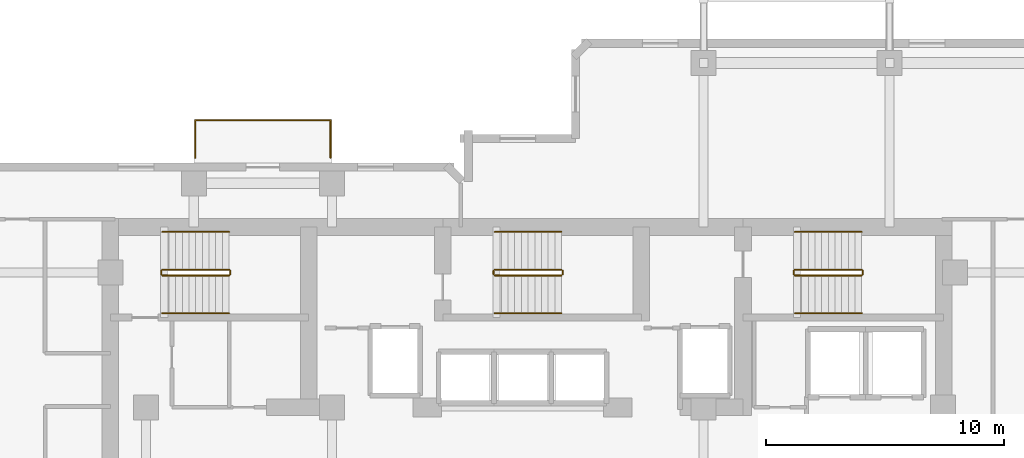
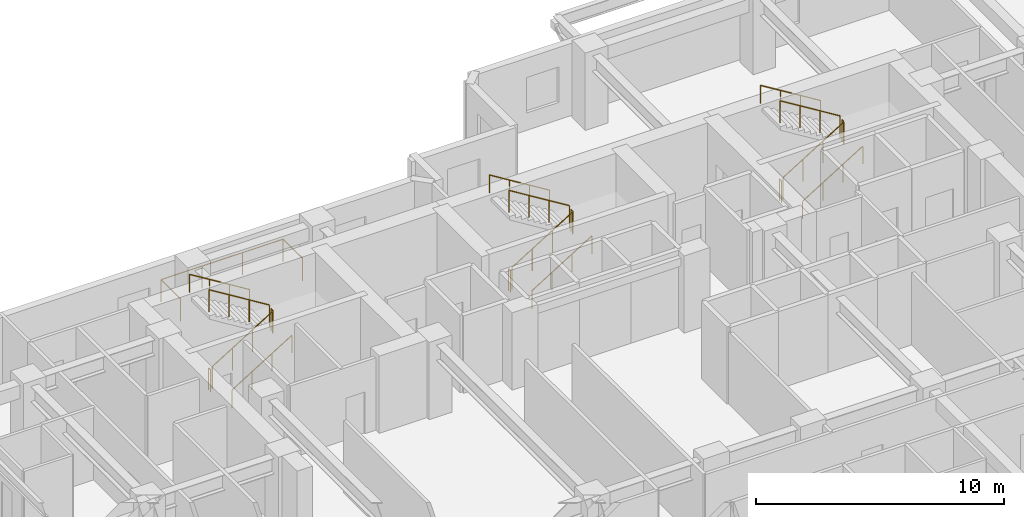
# One storey, part 9 of 9: 19 railings.
"""IFC4 building model written with IfcOpenShell, lengths in metres."""

from ifc_helpers import new_model, si_unit, direction, frame, origin, origin_2d, place, context, subcontext, project, spatial, circle, extrude, material, type_object, element, save


model = new_model("IFC4")

# Units and contexts
model_context = context("Model", 3, precision=1e-05, world=origin(), true_north=direction((0.0, 1.0)))
body_context = subcontext(model_context, "Body", "Model", "MODEL_VIEW")
ifc_project = project(units=[si_unit("LENGTHUNIT", "METRE"), si_unit("AREAUNIT", "SQUARE_METRE"), si_unit("VOLUMEUNIT", "CUBIC_METRE"), si_unit("PLANEANGLEUNIT", "RADIAN"), si_unit("MASSUNIT", "GRAM", prefix="KILO")], contexts=[model_context])

# Site, building, storey
site_placement = place(None, origin())
site = spatial("IfcSite", under=ifc_project, at=site_placement, CompositionType="ELEMENT")
building_placement = place(site_placement, origin())
building = spatial("IfcBuilding", under=site, at=building_placement, Name="Kestravale Grand Hotel", CompositionType="ELEMENT")
storey_placement = place(building_placement, frame((0.0, 0.0, 146.0)))
storey = spatial("IfcBuildingStorey", under=building, at=storey_placement, Name="L36", CompositionType="ELEMENT", Elevation=146.0)

# Railings
ifc_material_1 = material(Name="Champagne-bronze stainless steel and laminated glass guard", Category="steel")
railing_type_1 = type_object("IfcRailingType", Name="RL-EXT-1100", PredefinedType="GUARDRAIL", material=ifc_material_1)
railing_1_placement = place(storey_placement, frame((25.4599609375, 43.219970703125, 0.0)))
element("IfcRailing", 1, at=railing_1_placement, inside=storey, type_object=railing_type_1, Name="L36 outdoor terrace guard 1", PredefinedType="GUARDRAIL", context=body_context, shape_type="SweptSolid", body=[
    extrude(circle(Radius=0.02392578125, at=origin_2d()), frame((0.0, 0.0, 1.09619140625), z_axis=(0.0, 1.0, 0.0), x_axis=(-1.0, 0.0, 0.0)), (0.0, 0.0, 1.0), 1.570068359375),
    extrude(circle(Radius=0.02392578125, at=origin_2d()), frame((0.0, 1.570068359375, 1.09619140625), z_axis=(1.0, 0.0, 0.0), x_axis=(0.0, 1.0, 0.0)), (0.0, 0.0, 1.0), 5.679931640625),
    extrude(circle(Radius=0.02392578125, at=origin_2d()), frame((5.679931640625, 1.570068359375, 1.09619140625), z_axis=(0.0, -1.0, 0.0), x_axis=(1.0, 0.0, 0.0)), (0.0, 0.0, 1.0), 1.570068359375),
    extrude(circle(Radius=0.02099609375, at=origin_2d()), origin(), (0.0, 0.0, 1.0), 1.072021484375),
    extrude(circle(Radius=0.02099609375, at=origin_2d()), frame((0.0, 1.570068359375, 0.0)), (0.0, 0.0, 1.0), 1.072021484375),
    extrude(circle(Radius=0.02099609375, at=origin_2d()), frame((1.893310546875, 1.570068359375, 0.0)), (0.0, 0.0, 1.0), 1.072021484375),
    extrude(circle(Radius=0.02099609375, at=origin_2d()), frame((3.78662109375, 1.570068359375, 0.0)), (0.0, 0.0, 1.0), 1.072021484375),
    extrude(circle(Radius=0.02099609375, at=origin_2d()), frame((5.679931640625, 1.570068359375, 0.0)), (0.0, 0.0, 1.0), 1.072021484375),
    extrude(circle(Radius=0.02099609375, at=origin_2d()), frame((5.679931640625, 0.0, 0.0)), (0.0, 0.0, 1.0), 1.072021484375),
])
ifc_material_2 = material(Name="Painted tubular steel stair well guard", Category="steel")
railing_type_2 = type_object("IfcRailingType", Name="RL-ST-GRD1100", PredefinedType="GUARDRAIL", material=ifc_material_2)
railing_2_placement = place(storey_placement, frame((24.080078125, 38.280029296875, 0.172607421875)))
element("IfcRailing", 2, at=railing_2_placement, inside=storey, type_object=railing_type_2, Name="L36 ST-1 stair guard 1", PredefinedType="GUARDRAIL", context=body_context, shape_type="SweptSolid", body=[
    extrude(circle(Radius=0.02392578125, at=origin_2d()), frame((0.0, 0.0, 1.076171875), z_axis=(0.851069175582, 0.0, 0.525053576669), x_axis=(0.0, 1.0, 0.0)), (0.0, 0.0, 1.0), 3.289794921875),
    extrude(circle(Radius=0.02099609375, at=origin_2d()), origin(), (0.0, 0.0, 1.0), 1.052001953125),
    extrude(circle(Radius=0.02099609375, at=origin_2d()), frame((0.933349609375, 0.0, 0.57568359375)), (0.0, 0.0, 1.0), 1.052001953125),
    extrude(circle(Radius=0.02099609375, at=origin_2d()), frame((1.866455078125, 0.0, 1.151611328125)), (0.0, 0.0, 1.0), 1.052001953125),
    extrude(circle(Radius=0.02099609375, at=origin_2d()), frame((2.7998046875, 0.0, 1.727294921875)), (0.0, 0.0, 1.0), 1.052001953125),
])
railing_3_placement = place(storey_placement, frame((26.929931640625, 38.330078125, 1.89990234375)))
element("IfcRailing", 3, at=railing_3_placement, inside=storey, type_object=railing_type_2, Name="L36 ST-1 stair guard 2", PredefinedType="GUARDRAIL", context=body_context, shape_type="SweptSolid", body=[
    extrude(circle(Radius=0.02392578125, at=origin_2d()), frame((0.0, 0.0, 1.076171875), z_axis=(0.0, 1.0, 0.0), x_axis=(-1.0, 0.0, 0.0)), (0.0, 0.0, 1.0), 0.14990234375),
    extrude(circle(Radius=0.02099609375, at=origin_2d()), origin(), (0.0, 0.0, 1.0), 1.052001953125),
    extrude(circle(Radius=0.02099609375, at=origin_2d()), frame((0.0, 0.14990234375, 0.0)), (0.0, 0.0, 1.0), 1.052001953125),
])
railing_4_placement = place(storey_placement, frame((26.8798828125, 38.530029296875, 2.07275390625)))
element("IfcRailing", 4, at=railing_4_placement, inside=storey, type_object=railing_type_2, Name="L36 ST-1 stair guard 3", PredefinedType="GUARDRAIL", context=body_context, shape_type="SweptSolid", body=[
    extrude(circle(Radius=0.02392578125, at=origin_2d()), frame((0.0, 0.0, 1.076171875), z_axis=(-0.851069175582, 0.0, 0.525053576669), x_axis=(0.0, -1.0, 0.0)), (0.0, 0.0, 1.0), 3.289794921875),
    extrude(circle(Radius=0.02099609375, at=origin_2d()), origin(), (0.0, 0.0, 1.0), 1.052001953125),
    extrude(circle(Radius=0.02099609375, at=origin_2d()), frame((-0.933349609375, 0.0, 0.57568359375)), (0.0, 0.0, 1.0), 1.052001953125),
    extrude(circle(Radius=0.02099609375, at=origin_2d()), frame((-1.866455078125, 0.0, 1.151611328125)), (0.0, 0.0, 1.0), 1.052001953125),
    extrude(circle(Radius=0.02099609375, at=origin_2d()), frame((-2.7998046875, 0.0, 1.727294921875)), (0.0, 0.0, 1.0), 1.052001953125),
])
railing_5_placement = place(storey_placement, frame((24.030029296875, 38.330078125, 0.0)))
element("IfcRailing", 5, at=railing_5_placement, inside=storey, type_object=railing_type_2, Name="L36 ST-1 stair guard 4", PredefinedType="GUARDRAIL", context=body_context, shape_type="SweptSolid", body=[
    extrude(circle(Radius=0.02392578125, at=origin_2d()), frame((0.0, 0.0, 1.076171875), z_axis=(0.0, 1.0, 0.0), x_axis=(-1.0, 0.0, 0.0)), (0.0, 0.0, 1.0), 0.14990234375),
    extrude(circle(Radius=0.02099609375, at=origin_2d()), origin(), (0.0, 0.0, 1.0), 1.052001953125),
    extrude(circle(Radius=0.02099609375, at=origin_2d()), frame((0.0, 0.14990234375, 0.0)), (0.0, 0.0, 1.0), 1.052001953125),
])
railing_6_placement = place(storey_placement, frame((38.030029296875, 38.280029296875, 0.172607421875)))
element("IfcRailing", 6, at=railing_6_placement, inside=storey, type_object=railing_type_2, Name="L36 ST-2 stair guard 1", PredefinedType="GUARDRAIL", context=body_context, shape_type="SweptSolid", body=[
    extrude(circle(Radius=0.02392578125, at=origin_2d()), frame((0.0, 0.0, 1.076171875), z_axis=(0.851089632645, 0.0, 0.525020415988), x_axis=(0.0, 1.0, 0.0)), (0.0, 0.0, 1.0), 3.2900390625),
    extrude(circle(Radius=0.02099609375, at=origin_2d()), origin(), (0.0, 0.0, 1.0), 1.052001953125),
    extrude(circle(Radius=0.02099609375, at=origin_2d()), frame((0.933349609375, 0.0, 0.57568359375)), (0.0, 0.0, 1.0), 1.052001953125),
    extrude(circle(Radius=0.02099609375, at=origin_2d()), frame((1.86669921875, 0.0, 1.151611328125)), (0.0, 0.0, 1.0), 1.052001953125),
    extrude(circle(Radius=0.02099609375, at=origin_2d()), frame((2.800048828125, 0.0, 1.727294921875)), (0.0, 0.0, 1.0), 1.052001953125),
])
railing_7_placement = place(storey_placement, frame((40.8798828125, 38.330078125, 1.89990234375)))
element("IfcRailing", 7, at=railing_7_placement, inside=storey, type_object=railing_type_2, Name="L36 ST-2 stair guard 2", PredefinedType="GUARDRAIL", context=body_context, shape_type="SweptSolid", body=[
    extrude(circle(Radius=0.02392578125, at=origin_2d()), frame((0.0, 0.0, 1.076171875), z_axis=(0.0, 1.0, 0.0), x_axis=(-1.0, 0.0, 0.0)), (0.0, 0.0, 1.0), 0.14990234375),
    extrude(circle(Radius=0.02099609375, at=origin_2d()), origin(), (0.0, 0.0, 1.0), 1.052001953125),
    extrude(circle(Radius=0.02099609375, at=origin_2d()), frame((0.0, 0.14990234375, 0.0)), (0.0, 0.0, 1.0), 1.052001953125),
])
railing_8_placement = place(storey_placement, frame((40.830078125, 38.530029296875, 2.07275390625)))
element("IfcRailing", 8, at=railing_8_placement, inside=storey, type_object=railing_type_2, Name="L36 ST-2 stair guard 3", PredefinedType="GUARDRAIL", context=body_context, shape_type="SweptSolid", body=[
    extrude(circle(Radius=0.02392578125, at=origin_2d()), frame((0.0, 0.0, 1.076171875), z_axis=(-0.851089632645, 0.0, 0.525020415988), x_axis=(0.0, -1.0, 0.0)), (0.0, 0.0, 1.0), 3.2900390625),
    extrude(circle(Radius=0.02099609375, at=origin_2d()), origin(), (0.0, 0.0, 1.0), 1.052001953125),
    extrude(circle(Radius=0.02099609375, at=origin_2d()), frame((-0.933349609375, 0.0, 0.57568359375)), (0.0, 0.0, 1.0), 1.052001953125),
    extrude(circle(Radius=0.02099609375, at=origin_2d()), frame((-1.86669921875, 0.0, 1.151611328125)), (0.0, 0.0, 1.0), 1.052001953125),
    extrude(circle(Radius=0.02099609375, at=origin_2d()), frame((-2.800048828125, 0.0, 1.727294921875)), (0.0, 0.0, 1.0), 1.052001953125),
])
railing_9_placement = place(storey_placement, frame((37.97998046875, 38.330078125, 0.0)))
element("IfcRailing", 9, at=railing_9_placement, inside=storey, type_object=railing_type_2, Name="L36 ST-2 stair guard 4", PredefinedType="GUARDRAIL", context=body_context, shape_type="SweptSolid", body=[
    extrude(circle(Radius=0.02392578125, at=origin_2d()), frame((0.0, 0.0, 1.076171875), z_axis=(0.0, 1.0, 0.0), x_axis=(-1.0, 0.0, 0.0)), (0.0, 0.0, 1.0), 0.14990234375),
    extrude(circle(Radius=0.02099609375, at=origin_2d()), origin(), (0.0, 0.0, 1.0), 1.052001953125),
    extrude(circle(Radius=0.02099609375, at=origin_2d()), frame((0.0, 0.14990234375, 0.0)), (0.0, 0.0, 1.0), 1.052001953125),
])
railing_10_placement = place(storey_placement, frame((50.6298828125, 38.280029296875, 0.172607421875)))
element("IfcRailing", 10, at=railing_10_placement, inside=storey, type_object=railing_type_2, Name="L36 ST-3 stair guard 1", PredefinedType="GUARDRAIL", context=body_context, shape_type="SweptSolid", body=[
    extrude(circle(Radius=0.02392578125, at=origin_2d()), frame((0.0, 0.0, 1.076171875), z_axis=(0.851089632645, 0.0, 0.525020415988), x_axis=(0.0, 1.0, 0.0)), (0.0, 0.0, 1.0), 3.2900390625),
    extrude(circle(Radius=0.02099609375, at=origin_2d()), origin(), (0.0, 0.0, 1.0), 1.052001953125),
    extrude(circle(Radius=0.02099609375, at=origin_2d()), frame((0.933349609375, 0.0, 0.57568359375)), (0.0, 0.0, 1.0), 1.052001953125),
    extrude(circle(Radius=0.02099609375, at=origin_2d()), frame((1.86669921875, 0.0, 1.151611328125)), (0.0, 0.0, 1.0), 1.052001953125),
    extrude(circle(Radius=0.02099609375, at=origin_2d()), frame((2.800048828125, 0.0, 1.727294921875)), (0.0, 0.0, 1.0), 1.052001953125),
])
railing_11_placement = place(storey_placement, frame((53.47998046875, 38.330078125, 1.89990234375)))
element("IfcRailing", 11, at=railing_11_placement, inside=storey, type_object=railing_type_2, Name="L36 ST-3 stair guard 2", PredefinedType="GUARDRAIL", context=body_context, shape_type="SweptSolid", body=[
    extrude(circle(Radius=0.02392578125, at=origin_2d()), frame((0.0, 0.0, 1.076171875), z_axis=(0.0, 1.0, 0.0), x_axis=(-1.0, 0.0, 0.0)), (0.0, 0.0, 1.0), 0.14990234375),
    extrude(circle(Radius=0.02099609375, at=origin_2d()), origin(), (0.0, 0.0, 1.0), 1.052001953125),
    extrude(circle(Radius=0.02099609375, at=origin_2d()), frame((0.0, 0.14990234375, 0.0)), (0.0, 0.0, 1.0), 1.052001953125),
])
railing_12_placement = place(storey_placement, frame((53.429931640625, 38.530029296875, 2.07275390625)))
element("IfcRailing", 12, at=railing_12_placement, inside=storey, type_object=railing_type_2, Name="L36 ST-3 stair guard 3", PredefinedType="GUARDRAIL", context=body_context, shape_type="SweptSolid", body=[
    extrude(circle(Radius=0.02392578125, at=origin_2d()), frame((0.0, 0.0, 1.076171875), z_axis=(-0.851089632645, 0.0, 0.525020415988), x_axis=(0.0, -1.0, 0.0)), (0.0, 0.0, 1.0), 3.2900390625),
    extrude(circle(Radius=0.02099609375, at=origin_2d()), origin(), (0.0, 0.0, 1.0), 1.052001953125),
    extrude(circle(Radius=0.02099609375, at=origin_2d()), frame((-0.933349609375, 0.0, 0.57568359375)), (0.0, 0.0, 1.0), 1.052001953125),
    extrude(circle(Radius=0.02099609375, at=origin_2d()), frame((-1.86669921875, 0.0, 1.151611328125)), (0.0, 0.0, 1.0), 1.052001953125),
    extrude(circle(Radius=0.02099609375, at=origin_2d()), frame((-2.800048828125, 0.0, 1.727294921875)), (0.0, 0.0, 1.0), 1.052001953125),
])
railing_13_placement = place(storey_placement, frame((50.580078125, 38.330078125, 0.0)))
element("IfcRailing", 13, at=railing_13_placement, inside=storey, type_object=railing_type_2, Name="L36 ST-3 stair guard 4", PredefinedType="GUARDRAIL", context=body_context, shape_type="SweptSolid", body=[
    extrude(circle(Radius=0.02392578125, at=origin_2d()), frame((0.0, 0.0, 1.076171875), z_axis=(0.0, 1.0, 0.0), x_axis=(-1.0, 0.0, 0.0)), (0.0, 0.0, 1.0), 0.14990234375),
    extrude(circle(Radius=0.02099609375, at=origin_2d()), origin(), (0.0, 0.0, 1.0), 1.052001953125),
    extrude(circle(Radius=0.02099609375, at=origin_2d()), frame((0.0, 0.14990234375, 0.0)), (0.0, 0.0, 1.0), 1.052001953125),
])
ifc_material_3 = material(Name="Brushed stainless steel wall handrail", Category="steel")
railing_type_3 = type_object("IfcRailingType", Name="RL-ST-HND900", PredefinedType="HANDRAIL", material=ifc_material_3)
railing_14_placement = place(storey_placement, frame((24.080078125, 36.699951171875, 0.172607421875)))
element("IfcRailing", 14, at=railing_14_placement, inside=storey, type_object=railing_type_3, Name="L36 ST-1 stair handrail 1", PredefinedType="HANDRAIL", context=body_context, shape_type="SweptSolid", body=[
    extrude(circle(Radius=0.02392578125, at=origin_2d()), frame((0.0, 0.0, 0.8759765625), z_axis=(0.851069175582, 0.0, 0.525053576669), x_axis=(0.0, 1.0, 0.0)), (0.0, 0.0, 1.0), 3.289794921875),
    extrude(circle(Radius=0.02099609375, at=origin_2d()), origin(), (0.0, 0.0, 1.0), 0.851806640625),
    extrude(circle(Radius=0.02099609375, at=origin_2d()), frame((0.933349609375, 0.0, 0.57568359375)), (0.0, 0.0, 1.0), 0.851806640625),
    extrude(circle(Radius=0.02099609375, at=origin_2d()), frame((1.866455078125, 0.0, 1.151611328125)), (0.0, 0.0, 1.0), 0.851806640625),
    extrude(circle(Radius=0.02099609375, at=origin_2d()), frame((2.7998046875, 0.0, 1.727294921875)), (0.0, 0.0, 1.0), 0.851806640625),
])
railing_15_placement = place(storey_placement, frame((26.8798828125, 40.110107421875, 2.07275390625)))
element("IfcRailing", 15, at=railing_15_placement, inside=storey, type_object=railing_type_3, Name="L36 ST-1 stair handrail 2", PredefinedType="HANDRAIL", context=body_context, shape_type="SweptSolid", body=[
    extrude(circle(Radius=0.02392578125, at=origin_2d()), frame((0.0, 0.0, 0.8759765625), z_axis=(-0.851069175582, 0.0, 0.525053576669), x_axis=(0.0, -1.0, 0.0)), (0.0, 0.0, 1.0), 3.289794921875),
    extrude(circle(Radius=0.02099609375, at=origin_2d()), origin(), (0.0, 0.0, 1.0), 0.851806640625),
    extrude(circle(Radius=0.02099609375, at=origin_2d()), frame((-0.933349609375, 0.0, 0.57568359375)), (0.0, 0.0, 1.0), 0.851806640625),
    extrude(circle(Radius=0.02099609375, at=origin_2d()), frame((-1.866455078125, 0.0, 1.151611328125)), (0.0, 0.0, 1.0), 0.851806640625),
    extrude(circle(Radius=0.02099609375, at=origin_2d()), frame((-2.7998046875, 0.0, 1.727294921875)), (0.0, 0.0, 1.0), 0.851806640625),
])
railing_16_placement = place(storey_placement, frame((38.030029296875, 36.699951171875, 0.172607421875)))
element("IfcRailing", 16, at=railing_16_placement, inside=storey, type_object=railing_type_3, Name="L36 ST-2 stair handrail 1", PredefinedType="HANDRAIL", context=body_context, shape_type="SweptSolid", body=[
    extrude(circle(Radius=0.02392578125, at=origin_2d()), frame((0.0, 0.0, 0.8759765625), z_axis=(0.851089632645, 0.0, 0.525020415988), x_axis=(0.0, 1.0, 0.0)), (0.0, 0.0, 1.0), 3.2900390625),
    extrude(circle(Radius=0.02099609375, at=origin_2d()), origin(), (0.0, 0.0, 1.0), 0.851806640625),
    extrude(circle(Radius=0.02099609375, at=origin_2d()), frame((0.933349609375, 0.0, 0.57568359375)), (0.0, 0.0, 1.0), 0.851806640625),
    extrude(circle(Radius=0.02099609375, at=origin_2d()), frame((1.86669921875, 0.0, 1.151611328125)), (0.0, 0.0, 1.0), 0.851806640625),
    extrude(circle(Radius=0.02099609375, at=origin_2d()), frame((2.800048828125, 0.0, 1.727294921875)), (0.0, 0.0, 1.0), 0.851806640625),
])
railing_17_placement = place(storey_placement, frame((40.830078125, 40.110107421875, 2.07275390625)))
element("IfcRailing", 17, at=railing_17_placement, inside=storey, type_object=railing_type_3, Name="L36 ST-2 stair handrail 2", PredefinedType="HANDRAIL", context=body_context, shape_type="SweptSolid", body=[
    extrude(circle(Radius=0.02392578125, at=origin_2d()), frame((0.0, 0.0, 0.8759765625), z_axis=(-0.851089632645, 0.0, 0.525020415988), x_axis=(0.0, -1.0, 0.0)), (0.0, 0.0, 1.0), 3.2900390625),
    extrude(circle(Radius=0.02099609375, at=origin_2d()), origin(), (0.0, 0.0, 1.0), 0.851806640625),
    extrude(circle(Radius=0.02099609375, at=origin_2d()), frame((-0.933349609375, 0.0, 0.57568359375)), (0.0, 0.0, 1.0), 0.851806640625),
    extrude(circle(Radius=0.02099609375, at=origin_2d()), frame((-1.86669921875, 0.0, 1.151611328125)), (0.0, 0.0, 1.0), 0.851806640625),
    extrude(circle(Radius=0.02099609375, at=origin_2d()), frame((-2.800048828125, 0.0, 1.727294921875)), (0.0, 0.0, 1.0), 0.851806640625),
])
railing_18_placement = place(storey_placement, frame((50.6298828125, 36.699951171875, 0.172607421875)))
element("IfcRailing", 18, at=railing_18_placement, inside=storey, type_object=railing_type_3, Name="L36 ST-3 stair handrail 1", PredefinedType="HANDRAIL", context=body_context, shape_type="SweptSolid", body=[
    extrude(circle(Radius=0.02392578125, at=origin_2d()), frame((0.0, 0.0, 0.8759765625), z_axis=(0.851089632645, 0.0, 0.525020415988), x_axis=(0.0, 1.0, 0.0)), (0.0, 0.0, 1.0), 3.2900390625),
    extrude(circle(Radius=0.02099609375, at=origin_2d()), origin(), (0.0, 0.0, 1.0), 0.851806640625),
    extrude(circle(Radius=0.02099609375, at=origin_2d()), frame((0.933349609375, 0.0, 0.57568359375)), (0.0, 0.0, 1.0), 0.851806640625),
    extrude(circle(Radius=0.02099609375, at=origin_2d()), frame((1.86669921875, 0.0, 1.151611328125)), (0.0, 0.0, 1.0), 0.851806640625),
    extrude(circle(Radius=0.02099609375, at=origin_2d()), frame((2.800048828125, 0.0, 1.727294921875)), (0.0, 0.0, 1.0), 0.851806640625),
])
railing_19_placement = place(storey_placement, frame((53.429931640625, 40.110107421875, 2.07275390625)))
element("IfcRailing", 19, at=railing_19_placement, inside=storey, type_object=railing_type_3, Name="L36 ST-3 stair handrail 2", PredefinedType="HANDRAIL", context=body_context, shape_type="SweptSolid", body=[
    extrude(circle(Radius=0.02392578125, at=origin_2d()), frame((0.0, 0.0, 0.8759765625), z_axis=(-0.851089632645, 0.0, 0.525020415988), x_axis=(0.0, -1.0, 0.0)), (0.0, 0.0, 1.0), 3.2900390625),
    extrude(circle(Radius=0.02099609375, at=origin_2d()), origin(), (0.0, 0.0, 1.0), 0.851806640625),
    extrude(circle(Radius=0.02099609375, at=origin_2d()), frame((-0.933349609375, 0.0, 0.57568359375)), (0.0, 0.0, 1.0), 0.851806640625),
    extrude(circle(Radius=0.02099609375, at=origin_2d()), frame((-1.86669921875, 0.0, 1.151611328125)), (0.0, 0.0, 1.0), 0.851806640625),
    extrude(circle(Radius=0.02099609375, at=origin_2d()), frame((-2.800048828125, 0.0, 1.727294921875)), (0.0, 0.0, 1.0), 0.851806640625),
])

save(model, "model.ifc")
